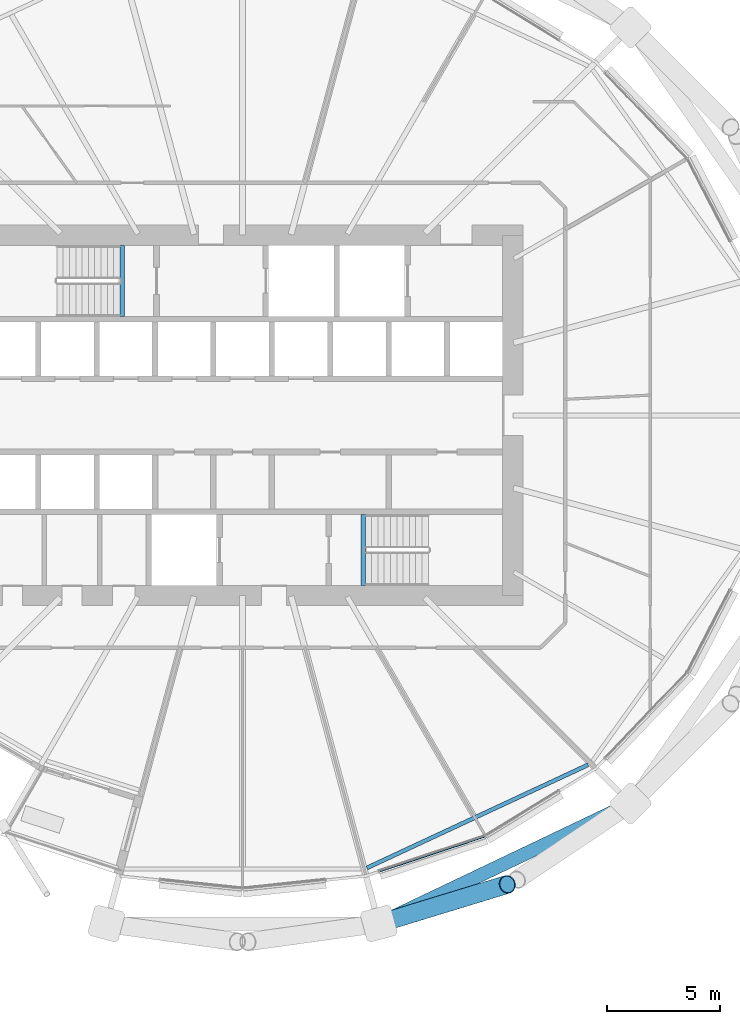
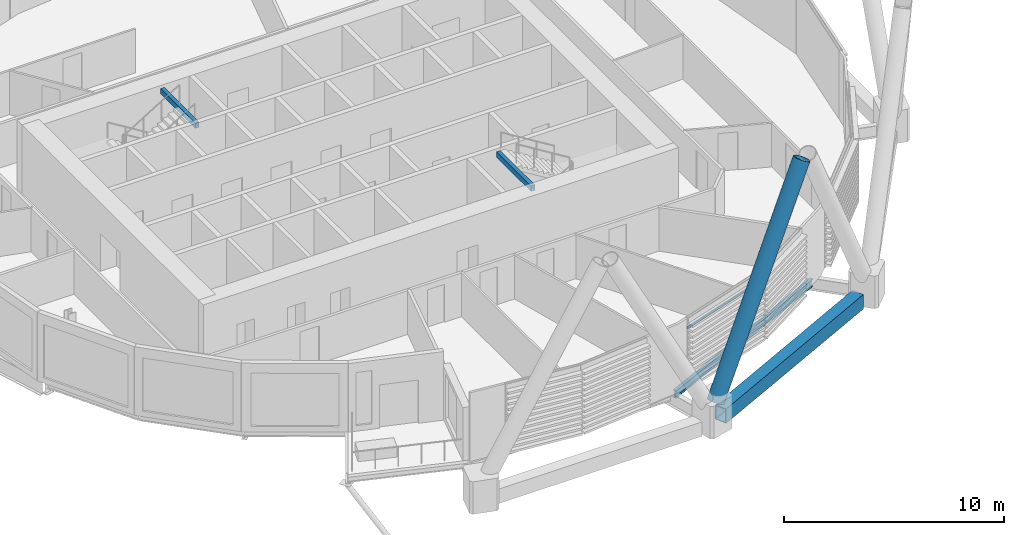
# One storey, part 5 of 36: 4 beams, 2 members, 1 element without a shape of its own.
"""IFC4 building model written with IfcOpenShell, lengths in metres."""

from ifc_helpers import new_model, si_unit, direction, frame, origin, origin_2d, place, context, subcontext, project, spatial, rectangle, hollow_rectangle, hollow_circle, i_section, extrude, material, material_profile, profile_set, type_object, element, aggregate, save


model = new_model("IFC4")

# Units and contexts
model_context = context("Model", 3, precision=1e-05, world=origin(), true_north=direction((0.0, 1.0)))
body_context = subcontext(model_context, "Body", "Model", "MODEL_VIEW")
ifc_project = project(units=[si_unit("LENGTHUNIT", "METRE"), si_unit("AREAUNIT", "SQUARE_METRE"), si_unit("VOLUMEUNIT", "CUBIC_METRE"), si_unit("PLANEANGLEUNIT", "RADIAN"), si_unit("MASSUNIT", "GRAM", prefix="KILO")], contexts=[model_context])

# Site, building, storey
site_placement = place(None, origin())
site = spatial("IfcSite", under=ifc_project, at=site_placement, CompositionType="ELEMENT")
building_placement = place(site_placement, origin())
building = spatial("IfcBuilding", under=site, at=building_placement, Name="Rimbun Link Towers", CompositionType="ELEMENT")
storey_placement = place(building_placement, frame((0.0, 0.0, 64.199951171875)))
storey = spatial("IfcBuildingStorey", under=building, at=storey_placement, Name="L15", CompositionType="ELEMENT", Elevation=64.199951171875)

# Curtain wall, member
ifc_material_1 = material(Name="Aluminium 6063-T6 and low-iron glass", Category="aluminium")
curtain_wall_type = type_object("IfcCurtainWallType", Name="CW1 unitised vision wall", PredefinedType="NOTDEFINED", material=ifc_material_1)
curtain_wall_placement = place(storey_placement, origin())
curtain_wall = element("IfcCurtainWall", 1, at=curtain_wall_placement, inside=storey, type_object=curtain_wall_type, Name="CW1 L15 T1", PredefinedType="NOTDEFINED")
ifc_material_2 = material(Name="Aluminium 6063-T6", Category="aluminium")
ifc_material_profile_1 = material_profile(ifc_material_2, rectangle(XDim=0.06005859375, YDim=0.1201171875, at=origin_2d()), Name="TRANSOM 60X120")
ifc_profile_set_1 = profile_set([ifc_material_profile_1], Name="Aluminium 6063-T6")
member_type_1 = type_object("IfcMemberType", Name="CW1 transom 60X120", PredefinedType="USERDEFINED", material=ifc_profile_set_1)
member_1_placement = place(storey_placement, frame((-20.9951171875, -18.7099609375, 3.199951171875), z_axis=(-0.949232441731, -0.314575541906, 0.0), x_axis=(0.314575541906, -0.949232441731, 0.0)))
member_1 = element("IfcMember", 2, at=member_1_placement, type_object=member_type_1, Name="CW1 transom", ObjectType="TRANSOM", PredefinedType="USERDEFINED", context=body_context, shape_type="SweptSolid", body=[
    extrude(rectangle(XDim=0.06005859375, YDim=0.1201171875, at=origin_2d()), origin(), (0.0, 0.0, 1.0), 4.921875),
])
aggregate(curtain_wall, [member_1])

# Member
ifc_material_3 = material(Name="Steel S460NH", Category="steel")
ifc_material_profile_2 = material_profile(ifc_material_3, hollow_circle(Radius=0.406494140625, WallThickness=0.0400390625, at=origin_2d()), Name="Diagrid diagonal CHS 813x40")
ifc_profile_set_2 = profile_set([ifc_material_profile_2], Name="Steel S460NH")
member_type_2 = type_object("IfcMemberType", Name="Diagrid diagonal CHS 813x40", PredefinedType="BRACE", material=ifc_profile_set_2)
member_2_placement = place(storey_placement, frame((-25.472412109375, -22.5048828125, 0.439208984375), z_axis=(0.457450573038, 0.13964580948, 0.87820158342), x_axis=(-0.291968491142, 0.956427937787, 0.0)))
element("IfcMember", 3, at=member_2_placement, inside=storey, type_object=member_type_2, Name="Diagrid diagonal T1 L15-L18 19b", PredefinedType="BRACE", context=body_context, shape_type="SweptSolid", body=[
    extrude(hollow_circle(Radius=0.406494140625, WallThickness=0.0400390625, at=origin_2d()), origin(), (0.0, 0.0, 1.0), 11.98095703125),
])

# Beams
ifc_material_4 = material(Name="Steel S355J2", Category="steel")
ifc_material_profile_3 = material_profile(ifc_material_4, hollow_rectangle(XDim=0.60009765625, YDim=0.800048828125, WallThickness=0.0400390625, at=origin_2d()), Name="Exoskeleton ring girder BOX 600x800x40")
ifc_profile_set_3 = profile_set([ifc_material_profile_3], Name="Steel S355J2")
beam_type_1 = type_object("IfcBeamType", Name="Exoskeleton ring girder BOX 600x800x40", PredefinedType="BEAM", material=ifc_profile_set_3)
beam_1_placement = place(storey_placement, frame((-25.0693359375, -22.273193359375, -0.56005859375), z_axis=(0.902623188498, 0.430431620105, 0.0), x_axis=(-0.430431620105, 0.902623188498, 0.0)))
element("IfcBeam", 4, at=beam_1_placement, inside=storey, type_object=beam_type_1, Name="Exoskeleton ring girder L15 07", PredefinedType="BEAM", context=body_context, shape_type="SweptSolid", body=[
    extrude(hollow_rectangle(XDim=0.60009765625, YDim=0.800048828125, WallThickness=0.0400390625, at=origin_2d()), origin(), (0.0, 0.0, 1.0), 10.996826171875),
])
ifc_material_5 = material(Name="Steel S355J2", Category="steel")
ifc_material_profile_4 = material_profile(ifc_material_5, hollow_rectangle(XDim=0.199951171875, YDim=0.300048828125, WallThickness=0.011962890625, at=origin_2d()), Name="BOX 300x200x12")
ifc_profile_set_4 = profile_set([ifc_material_profile_4], Name="Steel S355J2")
beam_type_2 = type_object("IfcBeamType", Name="Stair trimmer beam BOX 300x200x12", PredefinedType="BEAM", material=ifc_profile_set_4)
for number, where, z_axis, x_axis, name in (
    (5, (-37.10009765625, 7.550048828125, 3.489990234375), (0.0, -1.0, 0.0), (1.0, 0.0, 0.0), "L15 ST1 stair beam 1"),
    (6, (-26.39990234375, -7.550048828125, 3.489990234375), (0.0, 1.0, 0.0), (-1.0, 0.0, 0.0), "L15 ST2 stair beam 1"),
):
    element("IfcBeam", number, at=place(storey_placement, frame(where, z_axis=z_axis, x_axis=x_axis)), inside=storey, type_object=beam_type_2, Name=name, PredefinedType="BEAM", context=body_context, shape_type="SweptSolid", body=[
        extrude(hollow_rectangle(XDim=0.199951171875, YDim=0.300048828125, WallThickness=0.011962890625, at=origin_2d()), origin(), (0.0, 0.0, 1.0), 3.150146484375),
    ])
ifc_material_6 = material(Name="Steel S355J2", Category="steel")
ifc_material_profile_5 = material_profile(ifc_material_6, i_section(OverallWidth=0.177978515625, OverallDepth=0.406494140625, WebThickness=0.0078125, FlangeThickness=0.0126953125, at=origin_2d()), Name="UB 406x178x60")
ifc_profile_set_5 = profile_set([ifc_material_profile_5], Name="Steel S355J2")
beam_type_3 = type_object("IfcBeamType", Name="UB 406x178x60", PredefinedType="BEAM", material=ifc_profile_set_5)
beam_2_placement = place(storey_placement, frame((-26.225341796875, -20.09912109375, -0.363037109375), z_axis=(0.906386298275, 0.422449853, 0.0), x_axis=(-0.422449853, 0.906386298275, 0.0)))
element("IfcBeam", 7, at=beam_2_placement, inside=storey, type_object=beam_type_3, Name="Edge beam T1 L15 19-21", PredefinedType="BEAM", context=body_context, shape_type="SweptSolid", body=[
    extrude(i_section(OverallWidth=0.177978515625, OverallDepth=0.406494140625, WebThickness=0.0078125, FlangeThickness=0.0126953125, at=origin_2d()), origin(), (0.0, 0.0, 1.0), 10.831787109375),
])

save(model, "model.ifc")
